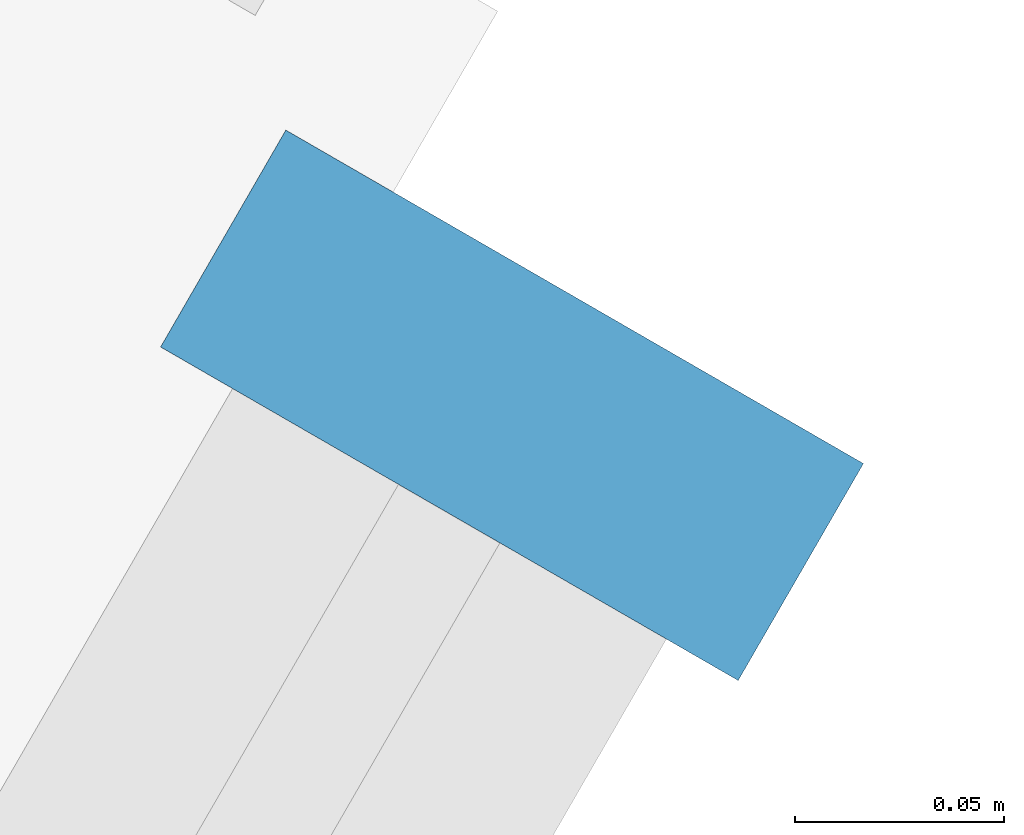
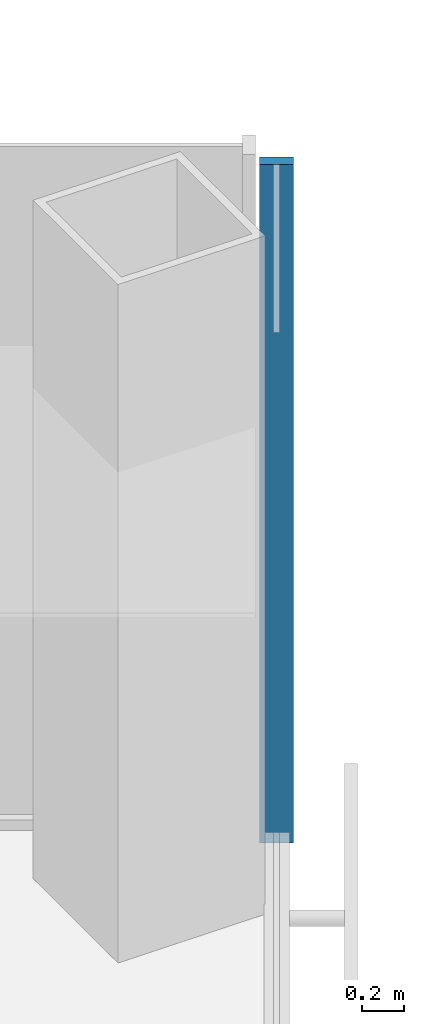
# One storey, part 9 of 19: 1 member, 1 element without a shape of its own.
"""IFC4 building model written with IfcOpenShell, lengths in metres."""

from ifc_helpers import new_model, si_unit, direction, frame, origin, origin_2d, place, context, subcontext, project, spatial, rectangle, extrude, material, material_profile, profile_set, type_object, element, aggregate, save


model = new_model("IFC4")

# Units and contexts
model_context = context("Model", 3, precision=1e-05, world=origin(), true_north=direction((0.0, 1.0)))
body_context = subcontext(model_context, "Body", "Model", "MODEL_VIEW")
ifc_project = project(units=[si_unit("LENGTHUNIT", "METRE"), si_unit("AREAUNIT", "SQUARE_METRE"), si_unit("VOLUMEUNIT", "CUBIC_METRE"), si_unit("PLANEANGLEUNIT", "RADIAN"), si_unit("MASSUNIT", "GRAM", prefix="KILO")], contexts=[model_context])

# Site, building, storey
site_placement = place(None, origin())
site = spatial("IfcSite", under=ifc_project, at=site_placement, CompositionType="ELEMENT")
building_placement = place(site_placement, origin())
building = spatial("IfcBuilding", under=site, at=building_placement, Name="Kasaneha Research Tower", CompositionType="ELEMENT")
storey_placement = place(building_placement, frame((0.0, 0.0, 88.5)))
storey = spatial("IfcBuildingStorey", under=building, at=storey_placement, Name="L22", CompositionType="ELEMENT", Elevation=88.5)

# Curtain wall, member
ifc_material_1 = material(Name="Glass and aluminium", Category="aluminium")
curtain_wall_type = type_object("IfcCurtainWallType", Name="Low-rise office curtain wall", PredefinedType="USERDEFINED", material=ifc_material_1)
curtain_wall_placement = place(storey_placement, origin())
curtain_wall = element("IfcCurtainWall", 1, at=curtain_wall_placement, inside=storey, type_object=curtain_wall_type, Name="CW-O1 L22 run 05a", ObjectType="UNITISED CURTAIN WALL", PredefinedType="USERDEFINED")
ifc_material_2 = material(Name="Aluminium 6063-T6", Category="aluminium")
ifc_material_profile = material_profile(ifc_material_2, rectangle(XDim=0.06005859375, YDim=0.159912109375, at=origin_2d()), Name="CW-O1 mullion 60x160")
ifc_profile_set = profile_set([ifc_material_profile], Name="Aluminium 6063-T6")
member_type = type_object("IfcMemberType", Name="CW-O1 mullion", PredefinedType="MULLION", material=ifc_profile_set)
member_placement = place(storey_placement, frame((32.012939453125, -6.39306640625, 0.0), z_axis=(0.0, 0.0, 1.0), x_axis=(0.500000011442, 0.866025397178, 0.0)))
member = element("IfcMember", 2, at=member_placement, type_object=member_type, Name="CW-O1 mullion 4", PredefinedType="MULLION", context=body_context, shape_type="SweptSolid", body=[
    extrude(rectangle(XDim=0.06005859375, YDim=0.159912109375, at=origin_2d()), origin(), (0.0, 0.0, 1.0), 3.89990234375),
])
aggregate(curtain_wall, [member])

save(model, "model.ifc")
